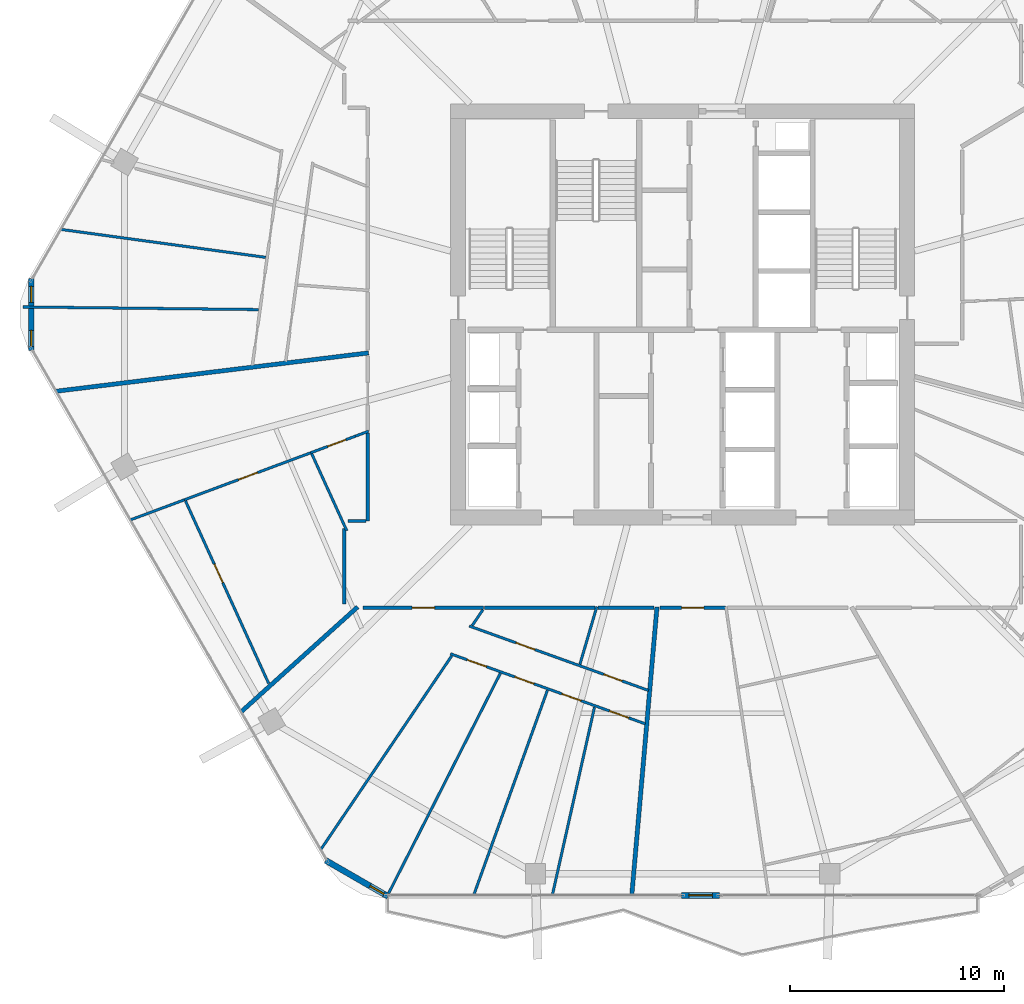
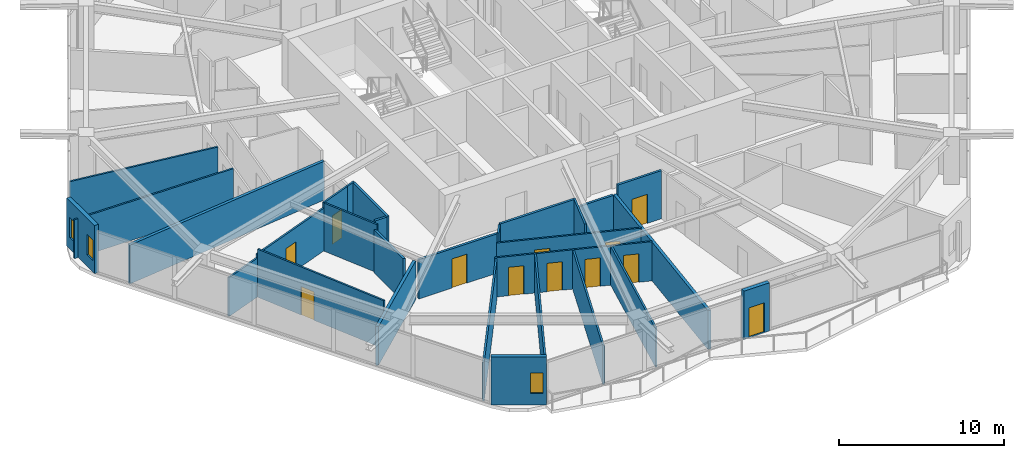
# One storey, part 18 of 25: 29 walls, 12 doors, 3 windows, 15 openings.
"""IFC4 building model written with IfcOpenShell, lengths in metres."""

from ifc_helpers import new_model, si_unit, direction, frame, frame_2d, origin, place, context, subcontext, project, spatial, rectangle, extrude, material, layer, layer_set, type_object, element, fill, save


model = new_model("IFC4")

# Units and contexts
model_context = context("Model", 3, precision=1e-05, world=origin(), true_north=direction((0.0, 1.0)))
body_context = subcontext(model_context, "Body", "Model", "MODEL_VIEW")
ifc_project = project(units=[si_unit("LENGTHUNIT", "METRE"), si_unit("AREAUNIT", "SQUARE_METRE"), si_unit("VOLUMEUNIT", "CUBIC_METRE"), si_unit("PLANEANGLEUNIT", "RADIAN"), si_unit("MASSUNIT", "GRAM", prefix="KILO")], contexts=[model_context])

# Site, building, storey
site_placement = place(None, origin())
site = spatial("IfcSite", under=ifc_project, at=site_placement, CompositionType="ELEMENT")
building_placement = place(site_placement, origin())
building = spatial("IfcBuilding", under=site, at=building_placement, Name="Zuhravey Tower", CompositionType="ELEMENT")
storey_placement = place(building_placement, frame((0.0, 0.0, 196.0)))
storey = spatial("IfcBuildingStorey", under=building, at=storey_placement, Name="L49", CompositionType="ELEMENT", Elevation=196.0)

# Wall, opening, door
ifc_material_1 = material(Name="Gypsum fire-rated stud partition")
ifc_layer_1 = layer(ifc_material_1, 0.159912109375)
ifc_layer_set_1 = layer_set([ifc_layer_1], Name="Gypsum fire-rated stud partition")
wall_type_1 = type_object("IfcWallType", Name="Corridor Fire Partition 160", PredefinedType="PARTITIONING", material=ifc_layer_set_1)
wall_1_placement = place(storey_placement, frame((21.0458984375, 18.27001953125, 0.0), z_axis=(0.0, 0.0, 1.0), x_axis=(1.0, 0.0, 0.0)))
wall_1 = element("IfcWall", 1, at=wall_1_placement, inside=storey, type_object=wall_type_1, Name="L49 IW16 Partition 042", PredefinedType="PARTITIONING", context=body_context, shape_type="SweptSolid", body=[
    extrude(rectangle(XDim=5.64794921875, YDim=0.159912109375, at=frame_2d((2.823974609375, 0.0))), origin(), (0.0, 0.0, 1.0), 2.89990234375),
])
opening_1_placement = place(wall_1_placement, frame((2.299072265625, 0.0, 0.0)))
opening_1 = element("IfcOpeningElement", 2, at=opening_1_placement, cuts=wall_1, Name="Opening APD1", PredefinedType="OPENING", context=body_context, shape_type="SweptSolid", body=[
    extrude(rectangle(XDim=1.050048828125, YDim=2.14990234375, at=frame_2d((0.52490234375, 1.074951171875))), frame((0.0, 0.092041015625, 0.0), z_axis=(0.0, -1.0, 0.0), x_axis=(1.0, 0.0, 0.0)), (0.0, 0.0, 1.0), 0.183837890625),
])
ifc_material_2 = material(Name="Solid-core oak fire-rated leaf")
door_type_1 = type_object("IfcDoorType", Name="Apartment Entrance Fire Door 1050x2150", OperationType="NOTDEFINED", PredefinedType="DOOR", material=ifc_material_2)
door_1_placement = place(opening_1_placement, frame((1.050048828125, 0.0, 0.0), z_axis=(0.0, 0.0, 1.0), x_axis=(-1.0, 0.0, 0.0)))
door_1 = element("IfcDoor", 3, at=door_1_placement, inside=storey, type_object=door_type_1, Name="L49 Door 042.1", OperationType="SINGLE_SWING_LEFT", OverallHeight=2.14990234375, OverallWidth=1.050048828125, PredefinedType="DOOR", context=body_context, shape_type="SweptSolid", body=[
    extrude(rectangle(XDim=1.050048828125, YDim=2.14990234375, at=frame_2d((0.52490234375, 1.074951171875))), frame((0.0, 0.02490234375, 0.0), z_axis=(0.0, -1.0, 0.0), x_axis=(1.0, 0.0, 0.0)), (0.0, 0.0, 1.0), 0.050048828125),
])
fill(opening_1, door_1)

wall_2_placement = place(storey_placement, frame((34.939453125, 18.27001953125, 0.0), z_axis=(0.0, 0.0, 1.0), x_axis=(1.0, 0.0, 0.0)))
wall_2 = element("IfcWall", 4, at=wall_2_placement, inside=storey, type_object=wall_type_1, Name="L49 IW16 Partition 046", PredefinedType="PARTITIONING", context=body_context, shape_type="SweptSolid", body=[
    extrude(rectangle(XDim=3.07275390625, YDim=0.159912109375, at=frame_2d((1.536376953125, 0.0))), origin(), (0.0, 0.0, 1.0), 3.550048828125),
])
opening_2_placement = place(wall_2_placement, frame((1.01123046875, 0.0, 0.0)))
opening_2 = element("IfcOpeningElement", 5, at=opening_2_placement, cuts=wall_2, Name="Opening APD1", PredefinedType="OPENING", context=body_context, shape_type="SweptSolid", body=[
    extrude(rectangle(XDim=1.050048828125, YDim=2.14990234375, at=frame_2d((0.52490234375, 1.074951171875))), frame((0.0, 0.092041015625, 0.0), z_axis=(0.0, -1.0, 0.0), x_axis=(1.0, 0.0, 0.0)), (0.0, 0.0, 1.0), 0.183837890625),
])
door_2_placement = place(opening_2_placement, frame((1.050048828125, 0.0, 0.0), z_axis=(0.0, 0.0, 1.0), x_axis=(-1.0, 0.0, 0.0)))
door_2 = element("IfcDoor", 6, at=door_2_placement, inside=storey, type_object=door_type_1, Name="L49 Door 046.1", OperationType="SINGLE_SWING_LEFT", OverallHeight=2.14990234375, OverallWidth=1.050048828125, PredefinedType="DOOR", context=body_context, shape_type="SweptSolid", body=[
    extrude(rectangle(XDim=1.050048828125, YDim=2.14990234375, at=frame_2d((0.52490234375, 1.074951171875))), frame((0.0, 0.02490234375, 0.0), z_axis=(0.0, -1.0, 0.0), x_axis=(1.0, 0.0, 0.0)), (0.0, 0.0, 1.0), 0.050048828125),
])
fill(opening_2, door_2)

# Walls
wall_3_placement = place(storey_placement, frame((21.27001953125, 26.443603515625, 0.0), z_axis=(0.0, 0.0, 1.0), x_axis=(0.0, -1.0, 0.0)))
element("IfcWall", 7, at=wall_3_placement, inside=storey, type_object=wall_type_1, Name="L49 IW16 Partition 129", PredefinedType="PARTITIONING", context=body_context, shape_type="SweptSolid", body=[
    extrude(rectangle(XDim=4.113525390625, YDim=0.159912109375, at=frame_2d((2.056640625, 0.0))), origin(), (0.0, 0.0, 1.0), 3.550048828125),
])
wall_4_placement = place(storey_placement, frame((21.181884765625, 22.330078125, 0.0), z_axis=(0.0, 0.0, 1.0), x_axis=(-1.0, 0.0, 0.0)))
element("IfcWall", 8, at=wall_4_placement, inside=storey, type_object=wall_type_1, Name="L49 IW16 Partition 130", PredefinedType="PARTITIONING", context=body_context, shape_type="SweptSolid", body=[
    extrude(rectangle(XDim=0.831787109375, YDim=0.159912109375, at=frame_2d((0.416015625, 0.0))), origin(), (0.0, 0.0, 1.0), 3.550048828125),
])
wall_5_placement = place(storey_placement, frame((20.169921875, 21.975830078125, 0.0), z_axis=(0.0, 0.0, 1.0), x_axis=(0.0, -1.0, 0.0)))
element("IfcWall", 9, at=wall_5_placement, inside=storey, type_object=wall_type_1, Name="L49 IW16 Partition 131", PredefinedType="PARTITIONING", context=body_context, shape_type="SweptSolid", body=[
    extrude(rectangle(XDim=3.52587890625, YDim=0.159912109375, at=frame_2d((1.762939453125, 0.0))), origin(), (0.0, 0.0, 1.0), 3.14990234375),
])
wall_6_placement = place(storey_placement, frame((26.7421875, 18.27001953125, 0.0), z_axis=(0.0, 0.0, 1.0), x_axis=(1.0, 0.0, 0.0)))
element("IfcWall", 10, at=wall_6_placement, inside=storey, type_object=wall_type_1, Name="L49 IW16 Partition 132", PredefinedType="PARTITIONING", context=body_context, shape_type="SweptSolid", body=[
    extrude(rectangle(XDim=5.158203125, YDim=0.159912109375, at=frame_2d((2.5791015625, 0.0))), origin(), (0.0, 0.0, 1.0), 3.550048828125),
])
wall_7_placement = place(storey_placement, frame((32.042236328125, 18.27001953125, 0.0), z_axis=(0.0, 0.0, 1.0), x_axis=(1.0, 0.0, 0.0)))
element("IfcWall", 11, at=wall_7_placement, inside=storey, type_object=wall_type_1, Name="L49 IW16 Partition 133", PredefinedType="PARTITIONING", context=body_context, shape_type="SweptSolid", body=[
    extrude(rectangle(XDim=2.61572265625, YDim=0.159912109375, at=frame_2d((1.307861328125, 0.0))), origin(), (0.0, 0.0, 1.0), 2.89990234375),
])

# Wall, opening, door
ifc_material_3 = material(Name="Precast concrete C40/50", Category="concrete")
ifc_layer_2 = layer(ifc_material_3, 0.280029296875)
ifc_layer_set_2 = layer_set([ifc_layer_2], Name="Precast concrete C40/50")
wall_type_2 = type_object("IfcWallType", Name="Crown Architectural Wall 280", PredefinedType="SOLIDWALL", material=ifc_layer_set_2)
wall_8_placement = place(storey_placement, frame((37.737060546875, 4.81689453125, 0.0), z_axis=(0.0, 0.0, 1.0), x_axis=(-1.0, 0.0, 0.0)))
wall_8 = element("IfcWall", 12, at=wall_8_placement, inside=storey, type_object=wall_type_2, Name="L49 Face 5 Facade Pier EW28-1", PredefinedType="SOLIDWALL", context=body_context, shape_type="SweptSolid", body=[
    extrude(rectangle(XDim=1.7900390625, YDim=0.280029296875, at=frame_2d((0.89501953125, 0.0))), origin(), (0.0, 0.0, 1.0), 3.550048828125),
])
opening_3_placement = place(wall_8_placement, frame((0.344970703125, 0.0, 0.0)))
opening_3 = element("IfcOpeningElement", 13, at=opening_3_placement, cuts=wall_8, Name="Opening BLD1", PredefinedType="OPENING", context=body_context, shape_type="SweptSolid", body=[
    extrude(rectangle(XDim=1.10009765625, YDim=2.199951171875, at=frame_2d((0.550048828125, 1.10009765625))), frame((0.0, 0.152099609375, 0.0), z_axis=(0.0, -1.0, 0.0), x_axis=(1.0, 0.0, 0.0)), (0.0, 0.0, 1.0), 0.303955078125),
])
ifc_material_4 = material(Name="Thermally broken aluminium and low-E glass", Category="aluminium")
door_type_2 = type_object("IfcDoorType", Name="Balcony & Sky-Tray Glazed Door 1100x2200", OperationType="NOTDEFINED", PredefinedType="DOOR", material=ifc_material_4)
door_3_placement = place(opening_3_placement, frame((1.10009765625, 0.0, 0.0), z_axis=(0.0, 0.0, 1.0), x_axis=(-1.0, 0.0, 0.0)))
door_3 = element("IfcDoor", 14, at=door_3_placement, inside=storey, type_object=door_type_2, Name="L49 Face 5 Wave Balcony Door", OperationType="SINGLE_SWING_LEFT", OverallHeight=2.199951171875, OverallWidth=1.10009765625, PredefinedType="DOOR", context=body_context, shape_type="SweptSolid", body=[
    extrude(rectangle(XDim=1.10009765625, YDim=2.199951171875, at=frame_2d((0.550048828125, 1.10009765625))), frame((0.0, 0.02490234375, 0.0), z_axis=(0.0, -1.0, 0.0), x_axis=(1.0, 0.0, 0.0)), (0.0, 0.0, 1.0), 0.050048828125),
])
fill(opening_3, door_3)

# Wall, opening, window
wall_9_placement = place(storey_placement, frame((22.22119140625, 4.769287109375, 0.0), z_axis=(0.0, 0.0, 1.0), x_axis=(-0.866020068361, 0.500009241111, 0.0)))
wall_9 = element("IfcWall", 15, at=wall_9_placement, inside=storey, type_object=wall_type_2, Name="L49 Rounded Corner Closure Wall EW28-04", PredefinedType="SOLIDWALL", context=body_context, shape_type="SweptSolid", body=[
    extrude(rectangle(XDim=3.365234375, YDim=0.280029296875, at=frame_2d((1.6826171875, 0.0))), origin(), (0.0, 0.0, 1.0), 3.550048828125),
])
opening_4_placement = place(wall_9_placement, frame((0.22802734375, 0.0, 0.85009765625)))
opening_4 = element("IfcOpeningElement", 16, at=opening_4_placement, cuts=wall_9, Name="Opening WN5", PredefinedType="OPENING", context=body_context, shape_type="SweptSolid", body=[
    extrude(rectangle(XDim=0.75, YDim=1.5, at=frame_2d((0.375, 0.75))), frame((0.0, 0.152099609375, 0.0), z_axis=(0.0, -1.0, 0.0), x_axis=(1.0, 0.0, 0.0)), (0.0, 0.0, 1.0), 0.303955078125),
])
ifc_material_5 = material(Name="Thermally broken aluminium and triple low-E glass", Category="aluminium")
window_type = type_object("IfcWindowType", Name="Residential Corner Casement Window 750x1500", PartitioningType="SINGLE_PANEL", PredefinedType="WINDOW", material=ifc_material_5)
window_1_placement = place(opening_4_placement, origin())
window_1 = element("IfcWindow", 17, at=window_1_placement, inside=storey, type_object=window_type, Name="L49 Corner Casement Window WN5-04.1", OverallHeight=1.5, OverallWidth=0.75, PartitioningType="SINGLE_PANEL", PredefinedType="WINDOW", context=body_context, shape_type="SweptSolid", body=[
    extrude(rectangle(XDim=0.75, YDim=1.5, at=frame_2d((0.375, 0.75))), frame((0.0, 0.030029296875, 0.0), z_axis=(0.0, -1.0, 0.0), x_axis=(1.0, 0.0, 0.0)), (0.0, 0.0, 1.0), 0.06005859375),
])
fill(opening_4, window_1)

# Wall, openings, windows
wall_10_placement = place(storey_placement, frame((5.5283203125, 30.3173828125, 0.0), z_axis=(0.0, 0.0, 1.0), x_axis=(0.0, 1.0, 0.0)))
wall_10 = element("IfcWall", 18, at=wall_10_placement, inside=storey, type_object=wall_type_2, Name="L49 Rounded Corner Closure Wall EW28-06", PredefinedType="SOLIDWALL", context=body_context, shape_type="SweptSolid", body=[
    extrude(rectangle(XDim=3.365234375, YDim=0.280029296875, at=frame_2d((1.6826171875, 0.0))), origin(), (0.0, 0.0, 1.0), 3.550048828125),
])
opening_5_placement = place(wall_10_placement, frame((2.23974609375, 0.0, 0.85009765625)))
opening_5 = element("IfcOpeningElement", 19, at=opening_5_placement, cuts=wall_10, Name="Opening WN5", PredefinedType="OPENING", context=body_context, shape_type="SweptSolid", body=[
    extrude(rectangle(XDim=0.75, YDim=1.5, at=frame_2d((0.375, 0.75))), frame((0.0, 0.152099609375, 0.0), z_axis=(0.0, -1.0, 0.0), x_axis=(1.0, 0.0, 0.0)), (0.0, 0.0, 1.0), 0.303955078125),
])
opening_6_placement = place(wall_10_placement, frame((0.17919921875, 0.0, 0.85009765625)))
opening_6 = element("IfcOpeningElement", 20, at=opening_6_placement, cuts=wall_10, Name="Opening WN5", PredefinedType="OPENING", context=body_context, shape_type="SweptSolid", body=[
    extrude(rectangle(XDim=0.75, YDim=1.5, at=frame_2d((0.375, 0.75))), frame((0.0, 0.152099609375, 0.0), z_axis=(0.0, -1.0, 0.0), x_axis=(1.0, 0.0, 0.0)), (0.0, 0.0, 1.0), 0.303955078125),
])
window_2_placement = place(opening_5_placement, origin())
window_2 = element("IfcWindow", 21, at=window_2_placement, inside=storey, type_object=window_type, Name="L49 Corner Casement Window WN5-06.1", OverallHeight=1.5, OverallWidth=0.75, PartitioningType="SINGLE_PANEL", PredefinedType="WINDOW", context=body_context, shape_type="SweptSolid", body=[
    extrude(rectangle(XDim=0.75, YDim=1.5, at=frame_2d((0.375, 0.75))), frame((0.0, 0.030029296875, 0.0), z_axis=(0.0, -1.0, 0.0), x_axis=(1.0, 0.0, 0.0)), (0.0, 0.0, 1.0), 0.06005859375),
])
fill(opening_5, window_2)
window_3_placement = place(opening_6_placement, origin())
window_3 = element("IfcWindow", 22, at=window_3_placement, inside=storey, type_object=window_type, Name="L49 Corner Casement Window WN5-06.2", OverallHeight=1.5, OverallWidth=0.75, PartitioningType="SINGLE_PANEL", PredefinedType="WINDOW", context=body_context, shape_type="SweptSolid", body=[
    extrude(rectangle(XDim=0.75, YDim=1.5, at=frame_2d((0.375, 0.75))), frame((0.0, 0.030029296875, 0.0), z_axis=(0.0, -1.0, 0.0), x_axis=(1.0, 0.0, 0.0)), (0.0, 0.0, 1.0), 0.06005859375),
])
fill(opening_6, window_3)

# Walls
ifc_material_6 = material(Name="Gypsum double-stud party assembly")
ifc_layer_3 = layer(ifc_material_6, 0.199951171875)
ifc_layer_set_3 = layer_set([ifc_layer_3], Name="Gypsum double-stud party assembly")
wall_type_3 = type_object("IfcWallType", Name="Inter-Tenancy Party Wall 200", PredefinedType="PARTITIONING", material=ifc_layer_set_3)
wall_11_placement = place(storey_placement, frame((21.31005859375, 30.1962890625, 0.0), z_axis=(0.0, 0.0, 1.0), x_axis=(-0.992546304435, -0.121868098997, 0.0)))
element("IfcWall", 23, at=wall_11_placement, inside=storey, type_object=wall_type_3, Name="L49 IW20 Partition 090", PredefinedType="PARTITIONING", context=body_context, shape_type="SweptSolid", body=[
    extrude(rectangle(XDim=14.73046875, YDim=0.199951171875, at=frame_2d((7.365234375, 0.0))), origin(), (0.0, 0.0, 1.0), 2.8701171875),
])
wall_12_placement = place(storey_placement, frame((20.795654296875, 18.31005859375, 0.0), z_axis=(0.0, 0.0, 1.0), x_axis=(-0.743136814575, -0.66913950326, 0.0)))
element("IfcWall", 24, at=wall_12_placement, inside=storey, type_object=wall_type_3, Name="L49 IW20 Partition 094", PredefinedType="PARTITIONING", context=body_context, shape_type="SweptSolid", body=[
    extrude(rectangle(XDim=7.3310546875, YDim=0.199951171875, at=frame_2d((3.66552734375, 0.0))), origin(), (0.0, 0.0, 1.0), 2.8701171875),
])
wall_13_placement = place(storey_placement, frame((34.80224609375, 18.31005859375, 0.0), z_axis=(0.0, 0.0, 1.0), x_axis=(-0.087149956805, -0.996195204279, 0.0)))
element("IfcWall", 25, at=wall_13_placement, inside=storey, type_object=wall_type_3, Name="L49 IW20 Partition 101", PredefinedType="PARTITIONING", context=body_context, shape_type="SweptSolid", body=[
    extrude(rectangle(XDim=13.544677734375, YDim=0.199951171875, at=frame_2d((6.7724609375, 0.0))), origin(), (0.0, 0.0, 1.0), 2.8701171875),
])

# Wall, opening, door
ifc_material_7 = material(Name="Gypsum metal-stud partition")
ifc_layer_4 = layer(ifc_material_7, 0.1201171875)
ifc_layer_set_4 = layer_set([ifc_layer_4], Name="Gypsum metal-stud partition")
wall_type_4 = type_object("IfcWallType", Name="Unit Internal Partition 120", PredefinedType="PARTITIONING", material=ifc_layer_set_4)
wall_14_placement = place(storey_placement, frame((20.699951171875, 26.303955078125, 0.0), z_axis=(0.0, 0.0, 1.0), x_axis=(-0.937146429419, -0.34893634065, 0.0)))
wall_14 = element("IfcWall", 26, at=wall_14_placement, inside=storey, type_object=wall_type_4, Name="L49 IW12 Partition 036", PredefinedType="PARTITIONING", context=body_context, shape_type="SweptSolid", body=[
    extrude(rectangle(XDim=2.23974609375, YDim=0.1201171875, at=frame_2d((1.119873046875, 0.0))), origin(), (0.0, 0.0, 1.0), 3.550048828125),
])
opening_7_placement = place(wall_14_placement, frame((0.490478515625, 0.0, 0.0)))
opening_7 = element("IfcOpeningElement", 27, at=opening_7_placement, cuts=wall_14, Name="Opening WCD1", PredefinedType="OPENING", context=body_context, shape_type="SweptSolid", body=[
    extrude(rectangle(XDim=0.89990234375, YDim=2.10009765625, at=frame_2d((0.449951171875, 1.050048828125))), frame((0.0, 0.072021484375, 0.0), z_axis=(0.0, -1.0, 0.0), x_axis=(1.0, 0.0, 0.0)), (0.0, 0.0, 1.0), 0.14404296875),
])
ifc_material_8 = material(Name="Moisture-resistant timber leaf", Category="wood")
door_type_3 = type_object("IfcDoorType", Name="Bathroom & WC Internal Door 900x2100", OperationType="NOTDEFINED", PredefinedType="DOOR", material=ifc_material_8)
door_4_placement = place(opening_7_placement, origin())
door_4 = element("IfcDoor", 28, at=door_4_placement, inside=storey, type_object=door_type_3, Name="Apartment L49-05 Bathroom Door", OperationType="SINGLE_SWING_LEFT", OverallHeight=2.10009765625, OverallWidth=0.89990234375, PredefinedType="DOOR", context=body_context, shape_type="SweptSolid", body=[
    extrude(rectangle(XDim=0.89990234375, YDim=2.10009765625, at=frame_2d((0.449951171875, 1.050048828125))), frame((0.0, 0.02490234375, 0.0), z_axis=(0.0, -1.0, 0.0), x_axis=(1.0, 0.0, 0.0)), (0.0, 0.0, 1.0), 0.050048828125),
])
fill(opening_7, door_4)

wall_15_placement = place(storey_placement, frame((18.60107421875, 25.5224609375, 0.0), z_axis=(0.0, 0.0, 1.0), x_axis=(-0.937158847228, -0.348902988039, 0.0)))
wall_15 = element("IfcWall", 29, at=wall_15_placement, inside=storey, type_object=wall_type_4, Name="L49 IW12 Partition 037", PredefinedType="PARTITIONING", context=body_context, shape_type="SweptSolid", body=[
    extrude(rectangle(XDim=6.3046875, YDim=0.1201171875, at=frame_2d((3.15234375, 0.0))), origin(), (0.0, 0.0, 1.0), 3.14990234375),
])
opening_8_placement = place(wall_15_placement, frame((2.65234375, 0.0, 0.0)))
opening_8 = element("IfcOpeningElement", 30, at=opening_8_placement, cuts=wall_15, Name="Opening IND1", PredefinedType="OPENING", context=body_context, shape_type="SweptSolid", body=[
    extrude(rectangle(XDim=0.949951171875, YDim=2.10009765625, at=frame_2d((0.47509765625, 1.050048828125))), frame((0.0, 0.072021484375, 0.0), z_axis=(0.0, -1.0, 0.0), x_axis=(1.0, 0.0, 0.0)), (0.0, 0.0, 1.0), 0.14404296875),
])
ifc_material_9 = material(Name="Painted engineered timber leaf", Category="wood")
door_type_4 = type_object("IfcDoorType", Name="Internal Room & Bedroom Door 950x2100", OperationType="NOTDEFINED", PredefinedType="DOOR", material=ifc_material_9)
door_5_placement = place(opening_8_placement, origin())
door_5 = element("IfcDoor", 31, at=door_5_placement, inside=storey, type_object=door_type_4, Name="Apartment L49-05 Home Office Door", OperationType="SINGLE_SWING_RIGHT", OverallHeight=2.10009765625, OverallWidth=0.949951171875, PredefinedType="DOOR", context=body_context, shape_type="SweptSolid", body=[
    extrude(rectangle(XDim=0.949951171875, YDim=2.10009765625, at=frame_2d((0.47509765625, 1.050048828125))), frame((0.0, 0.02490234375, 0.0), z_axis=(0.0, -1.0, 0.0), x_axis=(1.0, 0.0, 0.0)), (0.0, 0.0, 1.0), 0.050048828125),
])
fill(opening_8, door_5)

wall_16_placement = place(storey_placement, frame((12.744140625, 23.26953125, 0.0), z_axis=(0.0, 0.0, 1.0), x_axis=(0.414714516526, -0.909951575515, 0.0)))
wall_16 = element("IfcWall", 32, at=wall_16_placement, inside=storey, type_object=wall_type_4, Name="L49 IW12 Partition 038", PredefinedType="PARTITIONING", context=body_context, shape_type="SweptSolid", body=[
    extrude(rectangle(XDim=9.380859375, YDim=0.1201171875, at=frame_2d((4.6904296875, 0.0))), origin(), (0.0, 0.0, 1.0), 3.550048828125),
])
opening_9_placement = place(wall_16_placement, frame((3.251220703125, 0.0, 0.0)))
opening_9 = element("IfcOpeningElement", 33, at=opening_9_placement, cuts=wall_16, Name="Opening IND1", PredefinedType="OPENING", context=body_context, shape_type="SweptSolid", body=[
    extrude(rectangle(XDim=0.949951171875, YDim=2.10009765625, at=frame_2d((0.47509765625, 1.050048828125))), frame((0.0, 0.072021484375, 0.0), z_axis=(0.0, -1.0, 0.0), x_axis=(1.0, 0.0, 0.0)), (0.0, 0.0, 1.0), 0.14404296875),
])
door_6_placement = place(opening_9_placement, frame((0.949951171875, 0.0, 0.0), z_axis=(0.0, 0.0, 1.0), x_axis=(-1.0, 0.0, 0.0)))
door_6 = element("IfcDoor", 34, at=door_6_placement, inside=storey, type_object=door_type_4, Name="Apartment L49-05 Bedroom 1 Door", OperationType="SINGLE_SWING_LEFT", OverallHeight=2.10009765625, OverallWidth=0.949951171875, PredefinedType="DOOR", context=body_context, shape_type="SweptSolid", body=[
    extrude(rectangle(XDim=0.949951171875, YDim=2.10009765625, at=frame_2d((0.47509765625, 1.050048828125))), frame((0.0, 0.02490234375, 0.0), z_axis=(0.0, -1.0, 0.0), x_axis=(1.0, 0.0, 0.0)), (0.0, 0.0, 1.0), 0.050048828125),
])
fill(opening_9, door_6)

# Wall, openings, doors
wall_17_placement = place(storey_placement, frame((26.021728515625, 17.418701171875, 0.0), z_axis=(0.0, 0.0, 1.0), x_axis=(0.940993203868, -0.338425457486, 0.0)))
wall_17 = element("IfcWall", 35, at=wall_17_placement, inside=storey, type_object=wall_type_4, Name="L49 IW12 Partition 040", PredefinedType="PARTITIONING", context=body_context, shape_type="SweptSolid", body=[
    extrude(rectangle(XDim=8.909912109375, YDim=0.1201171875, at=frame_2d((4.455078125, 0.0))), origin(), (0.0, 0.0, 1.0), 2.89990234375),
])
opening_10_placement = place(wall_17_placement, frame((2.316162109375, 0.0, 0.0)))
opening_10 = element("IfcOpeningElement", 36, at=opening_10_placement, cuts=wall_17, Name="Opening IND1", PredefinedType="OPENING", context=body_context, shape_type="SweptSolid", body=[
    extrude(rectangle(XDim=0.949951171875, YDim=2.10009765625, at=frame_2d((0.47509765625, 1.050048828125))), frame((0.0, 0.072021484375, 0.0), z_axis=(0.0, -1.0, 0.0), x_axis=(1.0, 0.0, 0.0)), (0.0, 0.0, 1.0), 0.14404296875),
])
opening_11_placement = place(wall_17_placement, frame((6.692626953125, 0.0, 0.0)))
opening_11 = element("IfcOpeningElement", 37, at=opening_11_placement, cuts=wall_17, Name="Opening WCD1", PredefinedType="OPENING", context=body_context, shape_type="SweptSolid", body=[
    extrude(rectangle(XDim=0.89990234375, YDim=2.10009765625, at=frame_2d((0.449951171875, 1.050048828125))), frame((0.0, 0.072021484375, 0.0), z_axis=(0.0, -1.0, 0.0), x_axis=(1.0, 0.0, 0.0)), (0.0, 0.0, 1.0), 0.14404296875),
])
door_7_placement = place(opening_11_placement, origin())
door_7 = element("IfcDoor", 38, at=door_7_placement, inside=storey, type_object=door_type_3, Name="Apartment L49-06 Bathroom Door", OperationType="SINGLE_SWING_RIGHT", OverallHeight=2.10009765625, OverallWidth=0.89990234375, PredefinedType="DOOR", context=body_context, shape_type="SweptSolid", body=[
    extrude(rectangle(XDim=0.89990234375, YDim=2.10009765625, at=frame_2d((0.449951171875, 1.050048828125))), frame((0.0, 0.02490234375, 0.0), z_axis=(0.0, -1.0, 0.0), x_axis=(1.0, 0.0, 0.0)), (0.0, 0.0, 1.0), 0.050048828125),
])
fill(opening_11, door_7)
door_8_placement = place(opening_10_placement, origin())
door_8 = element("IfcDoor", 39, at=door_8_placement, inside=storey, type_object=door_type_4, Name="Apartment L49-06 Kitchen Door", OperationType="SINGLE_SWING_LEFT", OverallHeight=2.10009765625, OverallWidth=0.949951171875, PredefinedType="DOOR", context=body_context, shape_type="SweptSolid", body=[
    extrude(rectangle(XDim=0.949951171875, YDim=2.10009765625, at=frame_2d((0.47509765625, 1.050048828125))), frame((0.0, 0.02490234375, 0.0), z_axis=(0.0, -1.0, 0.0), x_axis=(1.0, 0.0, 0.0)), (0.0, 0.0, 1.0), 0.050048828125),
])
fill(opening_10, door_8)

wall_18_placement = place(storey_placement, frame((25.143310546875, 16.119140625, 0.0), z_axis=(0.0, 0.0, 1.0), x_axis=(0.940999845239, -0.33840699056, 0.0)))
wall_18 = element("IfcWall", 40, at=wall_18_placement, inside=storey, type_object=wall_type_4, Name="L49 IW12 Partition 041", PredefinedType="PARTITIONING", context=body_context, shape_type="SweptSolid", body=[
    extrude(rectangle(XDim=9.683837890625, YDim=0.1201171875, at=frame_2d((4.841796875, 0.0))), origin(), (0.0, 0.0, 1.0), 2.89990234375),
])
opening_12_placement = place(wall_18_placement, frame((0.829833984375, 0.0, 0.0)))
opening_12 = element("IfcOpeningElement", 41, at=opening_12_placement, cuts=wall_18, Name="Opening IND1", PredefinedType="OPENING", context=body_context, shape_type="SweptSolid", body=[
    extrude(rectangle(XDim=0.949951171875, YDim=2.10009765625, at=frame_2d((0.47509765625, 1.050048828125))), frame((0.0, 0.072021484375, 0.0), z_axis=(0.0, -1.0, 0.0), x_axis=(1.0, 0.0, 0.0)), (0.0, 0.0, 1.0), 0.14404296875),
])
opening_13_placement = place(wall_18_placement, frame((3.200439453125, 0.0, 0.0)))
opening_13 = element("IfcOpeningElement", 42, at=opening_13_placement, cuts=wall_18, Name="Opening IND1", PredefinedType="OPENING", context=body_context, shape_type="SweptSolid", body=[
    extrude(rectangle(XDim=0.949951171875, YDim=2.10009765625, at=frame_2d((0.47509765625, 1.050048828125))), frame((0.0, 0.072021484375, 0.0), z_axis=(0.0, -1.0, 0.0), x_axis=(1.0, 0.0, 0.0)), (0.0, 0.0, 1.0), 0.14404296875),
])
opening_14_placement = place(wall_18_placement, frame((5.533447265625, 0.0, 0.0)))
opening_14 = element("IfcOpeningElement", 43, at=opening_14_placement, cuts=wall_18, Name="Opening IND1", PredefinedType="OPENING", context=body_context, shape_type="SweptSolid", body=[
    extrude(rectangle(XDim=0.949951171875, YDim=2.10009765625, at=frame_2d((0.47509765625, 1.050048828125))), frame((0.0, 0.072021484375, 0.0), z_axis=(0.0, -1.0, 0.0), x_axis=(1.0, 0.0, 0.0)), (0.0, 0.0, 1.0), 0.14404296875),
])
opening_15_placement = place(wall_18_placement, frame((7.904052734375, 0.0, 0.0)))
opening_15 = element("IfcOpeningElement", 44, at=opening_15_placement, cuts=wall_18, Name="Opening IND1", PredefinedType="OPENING", context=body_context, shape_type="SweptSolid", body=[
    extrude(rectangle(XDim=0.949951171875, YDim=2.10009765625, at=frame_2d((0.47509765625, 1.050048828125))), frame((0.0, 0.072021484375, 0.0), z_axis=(0.0, -1.0, 0.0), x_axis=(1.0, 0.0, 0.0)), (0.0, 0.0, 1.0), 0.14404296875),
])
door_9_placement = place(opening_12_placement, frame((0.949951171875, 0.0, 0.0), z_axis=(0.0, 0.0, 1.0), x_axis=(-1.0, 0.0, 0.0)))
door_9 = element("IfcDoor", 45, at=door_9_placement, inside=storey, type_object=door_type_4, Name="Apartment L49-06 Bedroom 1 Door", OperationType="SINGLE_SWING_LEFT", OverallHeight=2.10009765625, OverallWidth=0.949951171875, PredefinedType="DOOR", context=body_context, shape_type="SweptSolid", body=[
    extrude(rectangle(XDim=0.949951171875, YDim=2.10009765625, at=frame_2d((0.47509765625, 1.050048828125))), frame((0.0, 0.02490234375, 0.0), z_axis=(0.0, -1.0, 0.0), x_axis=(1.0, 0.0, 0.0)), (0.0, 0.0, 1.0), 0.050048828125),
])
fill(opening_12, door_9)
door_10_placement = place(opening_13_placement, frame((0.949951171875, 0.0, 0.0), z_axis=(0.0, 0.0, 1.0), x_axis=(-1.0, 0.0, 0.0)))
door_10 = element("IfcDoor", 46, at=door_10_placement, inside=storey, type_object=door_type_4, Name="Apartment L49-06 Bedroom 2 Door", OperationType="SINGLE_SWING_RIGHT", OverallHeight=2.10009765625, OverallWidth=0.949951171875, PredefinedType="DOOR", context=body_context, shape_type="SweptSolid", body=[
    extrude(rectangle(XDim=0.949951171875, YDim=2.10009765625, at=frame_2d((0.47509765625, 1.050048828125))), frame((0.0, 0.02490234375, 0.0), z_axis=(0.0, -1.0, 0.0), x_axis=(1.0, 0.0, 0.0)), (0.0, 0.0, 1.0), 0.050048828125),
])
fill(opening_13, door_10)
door_11_placement = place(opening_14_placement, frame((0.949951171875, 0.0, 0.0), z_axis=(0.0, 0.0, 1.0), x_axis=(-1.0, 0.0, 0.0)))
door_11 = element("IfcDoor", 47, at=door_11_placement, inside=storey, type_object=door_type_4, Name="Apartment L49-06 Bedroom 3 Door", OperationType="SINGLE_SWING_LEFT", OverallHeight=2.10009765625, OverallWidth=0.949951171875, PredefinedType="DOOR", context=body_context, shape_type="SweptSolid", body=[
    extrude(rectangle(XDim=0.949951171875, YDim=2.10009765625, at=frame_2d((0.47509765625, 1.050048828125))), frame((0.0, 0.02490234375, 0.0), z_axis=(0.0, -1.0, 0.0), x_axis=(1.0, 0.0, 0.0)), (0.0, 0.0, 1.0), 0.050048828125),
])
fill(opening_14, door_11)
door_12_placement = place(opening_15_placement, frame((0.949951171875, 0.0, 0.0), z_axis=(0.0, 0.0, 1.0), x_axis=(-1.0, 0.0, 0.0)))
door_12 = element("IfcDoor", 48, at=door_12_placement, inside=storey, type_object=door_type_4, Name="Apartment L49-06 Bedroom 4 Door", OperationType="SINGLE_SWING_RIGHT", OverallHeight=2.10009765625, OverallWidth=0.949951171875, PredefinedType="DOOR", context=body_context, shape_type="SweptSolid", body=[
    extrude(rectangle(XDim=0.949951171875, YDim=2.10009765625, at=frame_2d((0.47509765625, 1.050048828125))), frame((0.0, 0.02490234375, 0.0), z_axis=(0.0, -1.0, 0.0), x_axis=(1.0, 0.0, 0.0)), (0.0, 0.0, 1.0), 0.050048828125),
])
fill(opening_15, door_12)

# Walls
wall_19_placement = place(storey_placement, frame((16.49560546875, 34.664794921875, 0.0), z_axis=(0.0, 0.0, 1.0), x_axis=(-0.990795788698, 0.135365080796, 0.0)))
element("IfcWall", 49, at=wall_19_placement, inside=storey, type_object=wall_type_4, Name="L49 IW12 Partition 086", PredefinedType="PARTITIONING", context=body_context, shape_type="SweptSolid", body=[
    extrude(rectangle(XDim=9.688720703125, YDim=0.1201171875, at=frame_2d((4.84423828125, 0.0))), origin(), (0.0, 0.0, 1.0), 2.8701171875),
])
wall_20_placement = place(storey_placement, frame((16.16162109375, 32.2216796875, 0.0), z_axis=(0.0, 0.0, 1.0), x_axis=(-0.99993777631, 0.011155425089, 0.0)))
element("IfcWall", 50, at=wall_20_placement, inside=storey, type_object=wall_type_4, Name="L49 IW12 Partition 087", PredefinedType="PARTITIONING", context=body_context, shape_type="SweptSolid", body=[
    extrude(rectangle(XDim=11.0302734375, YDim=0.1201171875, at=frame_2d((5.51513671875, 0.0))), origin(), (0.0, 0.0, 1.0), 2.8701171875),
])
wall_21_placement = place(storey_placement, frame((21.3134765625, 26.5322265625, 0.0), z_axis=(0.0, 0.0, 1.0), x_axis=(-0.937230355165, -0.348710856379, 0.0)))
element("IfcWall", 51, at=wall_21_placement, inside=storey, type_object=wall_type_4, Name="L49 IW12 Partition 091", PredefinedType="PARTITIONING", context=body_context, shape_type="SweptSolid", body=[
    extrude(rectangle(XDim=0.654541015625, YDim=0.1201171875, at=frame_2d((0.3271484375, 0.0))), origin(), (0.0, 0.0, 1.0), 3.550048828125),
])
wall_22_placement = place(storey_placement, frame((12.692626953125, 23.32275390625, 0.0), z_axis=(0.0, 0.0, 1.0), x_axis=(-0.937173079669, -0.348864757096, 0.0)))
element("IfcWall", 52, at=wall_22_placement, inside=storey, type_object=wall_type_4, Name="L49 IW12 Partition 092", PredefinedType="PARTITIONING", context=body_context, shape_type="SweptSolid", body=[
    extrude(rectangle(XDim=2.701904296875, YDim=0.1201171875, at=frame_2d((1.35107421875, 0.0))), origin(), (0.0, 0.0, 1.0), 2.8701171875),
])
wall_23_placement = place(storey_placement, frame((18.652587890625, 25.46923828125, 0.0), z_axis=(0.0, 0.0, 1.0), x_axis=(0.41474383849, -0.909938211328, 0.0)))
element("IfcWall", 53, at=wall_23_placement, inside=storey, type_object=wall_type_4, Name="L49 IW12 Partition 093", PredefinedType="PARTITIONING", context=body_context, shape_type="SweptSolid", body=[
    extrude(rectangle(XDim=3.947998046875, YDim=0.1201171875, at=frame_2d((1.97412109375, 0.0))), origin(), (0.0, 0.0, 1.0), 3.550048828125),
])
wall_24_placement = place(storey_placement, frame((31.986083984375, 18.320068359375, 0.0), z_axis=(0.0, 0.0, 1.0), x_axis=(-0.281614682236, -0.959527576857, 0.0)))
element("IfcWall", 54, at=wall_24_placement, inside=storey, type_object=wall_type_4, Name="L49 IW12 Partition 095", PredefinedType="PARTITIONING", context=body_context, shape_type="SweptSolid", body=[
    extrude(rectangle(XDim=2.8037109375, YDim=0.1201171875, at=frame_2d((1.40185546875, 0.0))), origin(), (0.0, 0.0, 1.0), 3.550048828125),
])
wall_25_placement = place(storey_placement, frame((27.47412109375, 15.208740234375, 0.0), z_axis=(0.0, 0.0, 1.0), x_axis=(-0.452763264815, -0.89163076777, 0.0)))
element("IfcWall", 55, at=wall_25_placement, inside=storey, type_object=wall_type_4, Name="L49 IW12 Partition 096", PredefinedType="PARTITIONING", context=body_context, shape_type="SweptSolid", body=[
    extrude(rectangle(XDim=11.666015625, YDim=0.1201171875, at=frame_2d((5.8330078125, 0.0))), origin(), (0.0, 0.0, 1.0), 2.8701171875),
])
wall_26_placement = place(storey_placement, frame((29.676513671875, 14.416748046875, 0.0), z_axis=(0.0, 0.0, 1.0), x_axis=(-0.33839522172, -0.941004077524, 0.0)))
element("IfcWall", 56, at=wall_26_placement, inside=storey, type_object=wall_type_4, Name="L49 IW12 Partition 097", PredefinedType="PARTITIONING", context=body_context, shape_type="SweptSolid", body=[
    extrude(rectangle(XDim=10.21240234375, YDim=0.1201171875, at=frame_2d((5.106201171875, 0.0))), origin(), (0.0, 0.0, 1.0), 2.8701171875),
])
wall_27_placement = place(storey_placement, frame((31.879150390625, 13.62451171875, 0.0), z_axis=(0.0, 0.0, 1.0), x_axis=(-0.218835198181, -0.975761833665, 0.0)))
element("IfcWall", 57, at=wall_27_placement, inside=storey, type_object=wall_type_4, Name="L49 IW12 Partition 098", PredefinedType="PARTITIONING", context=body_context, shape_type="SweptSolid", body=[
    extrude(rectangle(XDim=9.03662109375, YDim=0.1201171875, at=frame_2d((4.518310546875, 0.0))), origin(), (0.0, 0.0, 1.0), 2.8701171875),
])
wall_28_placement = place(storey_placement, frame((26.65869140625, 18.181884765625, 0.0), z_axis=(0.0, 0.0, 1.0), x_axis=(-0.560237678538, -0.828331904219, 0.0)))
element("IfcWall", 58, at=wall_28_placement, inside=storey, type_object=wall_type_4, Name="L49 IW12 Partition 099", PredefinedType="PARTITIONING", context=body_context, shape_type="SweptSolid", body=[
    extrude(rectangle(XDim=0.893310546875, YDim=0.1201171875, at=frame_2d((0.44677734375, 0.0))), origin(), (0.0, 0.0, 1.0), 3.550048828125),
])
wall_29_placement = place(storey_placement, frame((25.201171875, 16.026123046875, 0.0), z_axis=(0.0, 0.0, 1.0), x_axis=(-0.560066581078, -0.828447599284, 0.0)))
element("IfcWall", 59, at=wall_29_placement, inside=storey, type_object=wall_type_4, Name="L49 IW12 Partition 100", PredefinedType="PARTITIONING", context=body_context, shape_type="SweptSolid", body=[
    extrude(rectangle(XDim=10.9580078125, YDim=0.1201171875, at=frame_2d((5.47900390625, 0.0))), origin(), (0.0, 0.0, 1.0), 2.8701171875),
])

save(model, "model.ifc")
